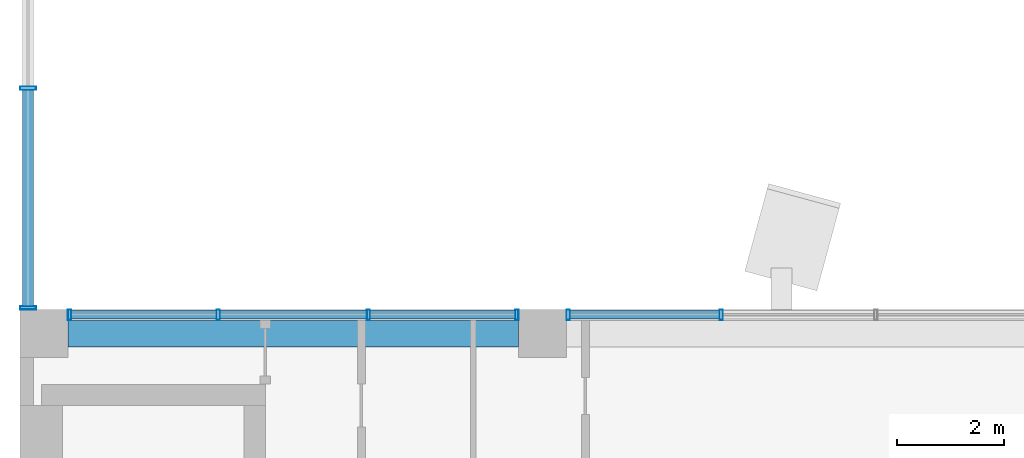
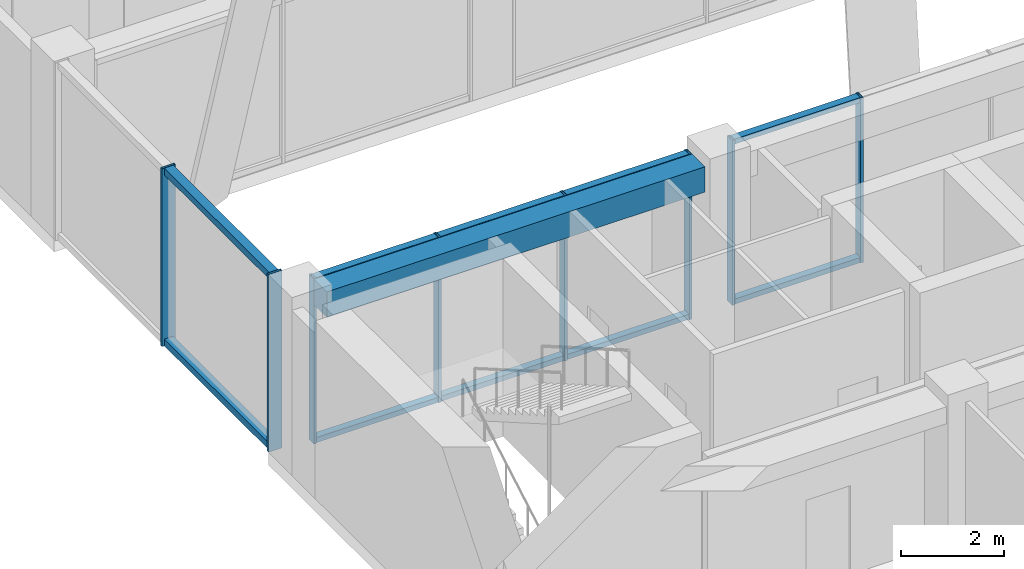
# One storey, part 6 of 36: 18 members, 1 beam, 3 elements without a shape of their own.
"""IFC4 building model written with IfcOpenShell, lengths in metres."""

from ifc_helpers import new_model, si_unit, direction, frame, origin, origin_2d, place, context, subcontext, project, spatial, rectangle, hollow_rectangle, extrude, material, layer, layer_set, material_profile, profile_set, type_object, element, aggregate, save


model = new_model("IFC4")

# Units and contexts
model_context = context("Model", 3, precision=1e-05, world=origin(), true_north=direction((0.0, 1.0)))
body_context = subcontext(model_context, "Body", "Model", "MODEL_VIEW")
ifc_project = project(units=[si_unit("LENGTHUNIT", "METRE"), si_unit("AREAUNIT", "SQUARE_METRE"), si_unit("VOLUMEUNIT", "CUBIC_METRE"), si_unit("PLANEANGLEUNIT", "RADIAN"), si_unit("MASSUNIT", "GRAM", prefix="KILO")], contexts=[model_context])

# Site, building, storey
site_placement = place(None, origin())
site = spatial("IfcSite", under=ifc_project, at=site_placement, CompositionType="ELEMENT")
building_placement = place(site_placement, origin())
building = spatial("IfcBuilding", under=site, at=building_placement, Name="Nzadi Deep Aquarium and Research Tower", CompositionType="ELEMENT")
storey_placement = place(building_placement, frame((0.0, 0.0, 44.5)))
storey = spatial("IfcBuildingStorey", under=building, at=storey_placement, Name="L08", CompositionType="ELEMENT", Elevation=44.5)

# Curtain wall, members
ifc_material_1 = material(Name="Aluminium unitised frame", Category="aluminium")
ifc_layer_1 = layer(ifc_material_1, 0.199951171875)
ifc_layer_set_1 = layer_set([ifc_layer_1], Name="Aluminium unitised frame")
curtain_wall_type_1 = type_object("IfcCurtainWallType", Name="Curtain wall Unitised 200", PredefinedType="NOTDEFINED", material=ifc_layer_set_1)
curtain_wall_1_placement = place(storey_placement, origin())
curtain_wall_1 = element("IfcCurtainWall", 1, at=curtain_wall_1_placement, inside=storey, type_object=curtain_wall_type_1, Name="Unitised curtain wall blade A north L08", PredefinedType="NOTDEFINED")
ifc_material_2 = material(Name="Aluminium unitised frame", Category="aluminium")
ifc_material_profile_1 = material_profile(ifc_material_2, hollow_rectangle(XDim=0.199951171875, YDim=0.06005859375, WallThickness=0.0048828125, at=origin_2d()))
ifc_profile_set_1 = profile_set([ifc_material_profile_1], Name="Aluminium unitised frame")
member_type_1 = type_object("IfcMemberType", Name="Mullion 60x200 Unitised", PredefinedType="MULLION", material=ifc_profile_set_1)
member_1_placement = place(storey_placement, frame((0.72998046875, 18.75, 0.0), z_axis=(0.0, 0.0, 1.0), x_axis=(0.0, 1.0, 0.0)))
member_1 = element("IfcMember", 2, at=member_1_placement, type_object=member_type_1, Name="CW023 mullion 1", PredefinedType="MULLION", context=body_context, shape_type="SweptSolid", body=[
    extrude(hollow_rectangle(XDim=0.199951171875, YDim=0.06005859375, WallThickness=0.0048828125, at=origin_2d()), origin(), (0.0, 0.0, 1.0), 3.89990234375),
])
member_2_placement = place(storey_placement, frame((3.5166015625, 18.75, 0.0), z_axis=(0.0, 0.0, 1.0), x_axis=(0.0, 1.0, 0.0)))
member_2 = element("IfcMember", 3, at=member_2_placement, type_object=member_type_1, Name="CW023 mullion 2", PredefinedType="MULLION", context=body_context, shape_type="SweptSolid", body=[
    extrude(hollow_rectangle(XDim=0.199951171875, YDim=0.06005859375, WallThickness=0.0048828125, at=origin_2d()), origin(), (0.0, 0.0, 1.0), 3.89990234375),
])
member_3_placement = place(storey_placement, frame((6.333251953125, 18.75, 0.0), z_axis=(0.0, 0.0, 1.0), x_axis=(0.0, 1.0, 0.0)))
member_3 = element("IfcMember", 4, at=member_3_placement, type_object=member_type_1, Name="CW023 mullion 3", PredefinedType="MULLION", context=body_context, shape_type="SweptSolid", body=[
    extrude(hollow_rectangle(XDim=0.199951171875, YDim=0.06005859375, WallThickness=0.0048828125, at=origin_2d()), origin(), (0.0, 0.0, 1.0), 3.89990234375),
])
member_4_placement = place(storey_placement, frame((9.1201171875, 18.75, 0.0), z_axis=(0.0, 0.0, 1.0), x_axis=(0.0, 1.0, 0.0)))
member_4 = element("IfcMember", 5, at=member_4_placement, type_object=member_type_1, Name="CW023 mullion 4", PredefinedType="MULLION", context=body_context, shape_type="SweptSolid", body=[
    extrude(hollow_rectangle(XDim=0.199951171875, YDim=0.06005859375, WallThickness=0.0048828125, at=origin_2d()), origin(), (0.0, 0.0, 1.0), 3.89990234375),
])

curtain_wall_2_placement = place(storey_placement, origin())
curtain_wall_2 = element("IfcCurtainWall", 6, at=curtain_wall_2_placement, inside=storey, type_object=curtain_wall_type_1, Name="Unitised curtain wall blade A north L08", PredefinedType="NOTDEFINED")
member_5_placement = place(storey_placement, frame((10.080078125, 18.75, 0.0), z_axis=(0.0, 0.0, 1.0), x_axis=(0.0, 1.0, 0.0)))
member_5 = element("IfcMember", 7, at=member_5_placement, type_object=member_type_1, Name="CW024 mullion 1", PredefinedType="MULLION", context=body_context, shape_type="SweptSolid", body=[
    extrude(hollow_rectangle(XDim=0.199951171875, YDim=0.06005859375, WallThickness=0.0048828125, at=origin_2d()), origin(), (0.0, 0.0, 1.0), 3.89990234375),
])
member_6_placement = place(storey_placement, frame((12.949951171875, 18.75, 0.0), z_axis=(0.0, 0.0, 1.0), x_axis=(0.0, 1.0, 0.0)))
member_6 = element("IfcMember", 8, at=member_6_placement, type_object=member_type_1, Name="CW024 mullion 2", PredefinedType="MULLION", context=body_context, shape_type="SweptSolid", body=[
    extrude(hollow_rectangle(XDim=0.199951171875, YDim=0.06005859375, WallThickness=0.0048828125, at=origin_2d()), origin(), (0.0, 0.0, 1.0), 3.89990234375),
])

ifc_material_3 = material(Name="Aluminium unitised frame wind post", Category="aluminium")
ifc_layer_2 = layer(ifc_material_3, 0.300048828125)
ifc_layer_set_2 = layer_set([ifc_layer_2], Name="Aluminium unitised frame wind post")
curtain_wall_type_2 = type_object("IfcCurtainWallType", Name="Curtain wall Slot End 300", PredefinedType="NOTDEFINED", material=ifc_layer_set_2)
curtain_wall_3_placement = place(storey_placement, origin())
curtain_wall_3 = element("IfcCurtainWall", 9, at=curtain_wall_3_placement, inside=storey, type_object=curtain_wall_type_2, Name="Glazed slot end west L08", PredefinedType="NOTDEFINED")
ifc_material_4 = material(Name="Aluminium unitised frame wind post", Category="aluminium")
ifc_material_profile_2 = material_profile(ifc_material_4, hollow_rectangle(XDim=0.300048828125, YDim=0.06005859375, WallThickness=0.0048828125, at=origin_2d()))
ifc_profile_set_2 = profile_set([ifc_material_profile_2], Name="Aluminium unitised frame wind post")
member_type_2 = type_object("IfcMemberType", Name="Mullion 60x300 Slot End", PredefinedType="MULLION", material=ifc_profile_set_2)
member_7_placement = place(storey_placement, frame((-0.049560546875, 18.8798828125, 0.0), z_axis=(0.0, 0.0, 1.0), x_axis=(-1.0, 0.0, 0.0)))
member_7 = element("IfcMember", 10, at=member_7_placement, type_object=member_type_2, Name="CW207 mullion 1", PredefinedType="MULLION", context=body_context, shape_type="SweptSolid", body=[
    extrude(hollow_rectangle(XDim=0.300048828125, YDim=0.06005859375, WallThickness=0.0048828125, at=origin_2d()), origin(), (0.0, 0.0, 1.0), 4.199951171875),
])
member_8_placement = place(storey_placement, frame((-0.049560546875, 23.0, 0.0), z_axis=(0.0, 0.0, 1.0), x_axis=(-1.0, 0.0, 0.0)))
member_8 = element("IfcMember", 11, at=member_8_placement, type_object=member_type_2, Name="CW207 mullion 2", PredefinedType="MULLION", context=body_context, shape_type="SweptSolid", body=[
    extrude(hollow_rectangle(XDim=0.300048828125, YDim=0.06005859375, WallThickness=0.0048828125, at=origin_2d()), origin(), (0.0, 0.0, 1.0), 4.199951171875),
])

# Beam
ifc_material_5 = material(Name="Concrete C35/45", Category="concrete")
ifc_material_profile_3 = material_profile(ifc_material_5, rectangle(XDim=0.5, YDim=0.60009765625, at=origin_2d()))
ifc_profile_set_3 = profile_set([ifc_material_profile_3], Name="Concrete C35/45")
beam_type = type_object("IfcBeamType", Name="RC 500x600", PredefinedType="BEAM", material=ifc_profile_set_3)
beam_placement = place(storey_placement, frame((0.699951171875, 18.39990234375, 3.60009765625), z_axis=(1.0, 0.0, 0.0), x_axis=(0.0, 1.0, 0.0)))
element("IfcBeam", 12, at=beam_placement, inside=storey, type_object=beam_type, Name="B-Z1-L08-L3-1", PredefinedType="BEAM", context=body_context, shape_type="SweptSolid", body=[
    extrude(rectangle(XDim=0.5, YDim=0.60009765625, at=origin_2d()), origin(), (0.0, 0.0, 1.0), 8.449951171875),
])

# Member
ifc_material_6 = material(Name="Aluminium unitised frame", Category="aluminium")
ifc_material_profile_4 = material_profile(ifc_material_6, hollow_rectangle(XDim=0.159912109375, YDim=0.1201171875, WallThickness=0.0048828125, at=origin_2d()))
ifc_profile_set_4 = profile_set([ifc_material_profile_4], Name="Aluminium unitised frame")
member_type_3 = type_object("IfcMemberType", Name="Transom 120x160 Unitised", PredefinedType="MULLION", material=ifc_profile_set_4)
member_9_placement = place(storey_placement, frame((0.760009765625, 18.75, 0.06005859375), z_axis=(1.0, 0.0, 0.0), x_axis=(0.0, 1.0, 0.0)))
member_9 = element("IfcMember", 13, at=member_9_placement, type_object=member_type_3, Name="CW023 transom 1.1", PredefinedType="MULLION", context=body_context, shape_type="SweptSolid", body=[
    extrude(hollow_rectangle(XDim=0.159912109375, YDim=0.1201171875, WallThickness=0.0048828125, at=origin_2d()), origin(), (0.0, 0.0, 1.0), 2.7265625),
])

member_10_placement = place(storey_placement, frame((0.760009765625, 18.75, 3.840087890625), z_axis=(1.0, 0.0, 0.0), x_axis=(0.0, 1.0, 0.0)))
member_10 = element("IfcMember", 14, at=member_10_placement, type_object=member_type_3, Name="CW023 transom 1.2", PredefinedType="MULLION", context=body_context, shape_type="SweptSolid", body=[
    extrude(hollow_rectangle(XDim=0.159912109375, YDim=0.1201171875, WallThickness=0.0048828125, at=origin_2d()), origin(), (0.0, 0.0, 1.0), 2.7265625),
])

member_11_placement = place(storey_placement, frame((3.546630859375, 18.75, 0.06005859375), z_axis=(1.0, 0.0, 0.0), x_axis=(0.0, 1.0, 0.0)))
member_11 = element("IfcMember", 15, at=member_11_placement, type_object=member_type_3, Name="CW023 transom 2.1", PredefinedType="MULLION", context=body_context, shape_type="SweptSolid", body=[
    extrude(hollow_rectangle(XDim=0.159912109375, YDim=0.1201171875, WallThickness=0.0048828125, at=origin_2d()), origin(), (0.0, 0.0, 1.0), 2.756591796875),
])

member_12_placement = place(storey_placement, frame((3.546630859375, 18.75, 3.840087890625), z_axis=(1.0, 0.0, 0.0), x_axis=(0.0, 1.0, 0.0)))
member_12 = element("IfcMember", 16, at=member_12_placement, type_object=member_type_3, Name="CW023 transom 2.2", PredefinedType="MULLION", context=body_context, shape_type="SweptSolid", body=[
    extrude(hollow_rectangle(XDim=0.159912109375, YDim=0.1201171875, WallThickness=0.0048828125, at=origin_2d()), origin(), (0.0, 0.0, 1.0), 2.756591796875),
])

member_13_placement = place(storey_placement, frame((6.36328125, 18.75, 0.06005859375), z_axis=(1.0, 0.0, 0.0), x_axis=(0.0, 1.0, 0.0)))
member_13 = element("IfcMember", 17, at=member_13_placement, type_object=member_type_3, Name="CW023 transom 3.1", PredefinedType="MULLION", context=body_context, shape_type="SweptSolid", body=[
    extrude(hollow_rectangle(XDim=0.159912109375, YDim=0.1201171875, WallThickness=0.0048828125, at=origin_2d()), origin(), (0.0, 0.0, 1.0), 2.726806640625),
])

member_14_placement = place(storey_placement, frame((6.36328125, 18.75, 3.840087890625), z_axis=(1.0, 0.0, 0.0), x_axis=(0.0, 1.0, 0.0)))
member_14 = element("IfcMember", 18, at=member_14_placement, type_object=member_type_3, Name="CW023 transom 3.2", PredefinedType="MULLION", context=body_context, shape_type="SweptSolid", body=[
    extrude(hollow_rectangle(XDim=0.159912109375, YDim=0.1201171875, WallThickness=0.0048828125, at=origin_2d()), origin(), (0.0, 0.0, 1.0), 2.726806640625),
])

aggregate(curtain_wall_1, [member_1, member_2, member_3, member_4, member_9, member_10, member_11, member_12, member_13, member_14])

member_15_placement = place(storey_placement, frame((10.110107421875, 18.75, 0.06005859375), z_axis=(1.0, 0.0, 0.0), x_axis=(0.0, 1.0, 0.0)))
member_15 = element("IfcMember", 19, at=member_15_placement, type_object=member_type_3, Name="CW024 transom 1.1", PredefinedType="MULLION", context=body_context, shape_type="SweptSolid", body=[
    extrude(hollow_rectangle(XDim=0.159912109375, YDim=0.1201171875, WallThickness=0.0048828125, at=origin_2d()), origin(), (0.0, 0.0, 1.0), 2.809814453125),
])

member_16_placement = place(storey_placement, frame((10.110107421875, 18.75, 3.840087890625), z_axis=(1.0, 0.0, 0.0), x_axis=(0.0, 1.0, 0.0)))
member_16 = element("IfcMember", 20, at=member_16_placement, type_object=member_type_3, Name="CW024 transom 1.2", PredefinedType="MULLION", context=body_context, shape_type="SweptSolid", body=[
    extrude(hollow_rectangle(XDim=0.159912109375, YDim=0.1201171875, WallThickness=0.0048828125, at=origin_2d()), origin(), (0.0, 0.0, 1.0), 2.809814453125),
])

aggregate(curtain_wall_2, [member_5, member_6, member_15, member_16])

ifc_material_7 = material(Name="Aluminium unitised frame wind post", Category="aluminium")
ifc_material_profile_5 = material_profile(ifc_material_7, hollow_rectangle(XDim=0.199951171875, YDim=0.159912109375, WallThickness=0.0048828125, at=origin_2d()))
ifc_profile_set_5 = profile_set([ifc_material_profile_5], Name="Aluminium unitised frame wind post")
member_type_4 = type_object("IfcMemberType", Name="Transom 160x200 Slot End", PredefinedType="MULLION", material=ifc_profile_set_5)
member_17_placement = place(storey_placement, frame((-0.050048828125, 18.909912109375, 0.080078125), z_axis=(0.0, 1.0, 0.0), x_axis=(-1.0, 0.0, 0.0)))
member_17 = element("IfcMember", 21, at=member_17_placement, type_object=member_type_4, Name="CW207 transom 1.1", PredefinedType="MULLION", context=body_context, shape_type="SweptSolid", body=[
    extrude(hollow_rectangle(XDim=0.199951171875, YDim=0.159912109375, WallThickness=0.0048828125, at=origin_2d()), origin(), (0.0, 0.0, 1.0), 4.06005859375),
])

member_18_placement = place(storey_placement, frame((-0.050048828125, 18.909912109375, 4.1201171875), z_axis=(0.0, 1.0, 0.0), x_axis=(-1.0, 0.0, 0.0)))
member_18 = element("IfcMember", 22, at=member_18_placement, type_object=member_type_4, Name="CW207 transom 1.2", PredefinedType="MULLION", context=body_context, shape_type="SweptSolid", body=[
    extrude(hollow_rectangle(XDim=0.199951171875, YDim=0.159912109375, WallThickness=0.0048828125, at=origin_2d()), origin(), (0.0, 0.0, 1.0), 4.06005859375),
])

aggregate(curtain_wall_3, [member_7, member_8, member_17, member_18])

save(model, "model.ifc")
